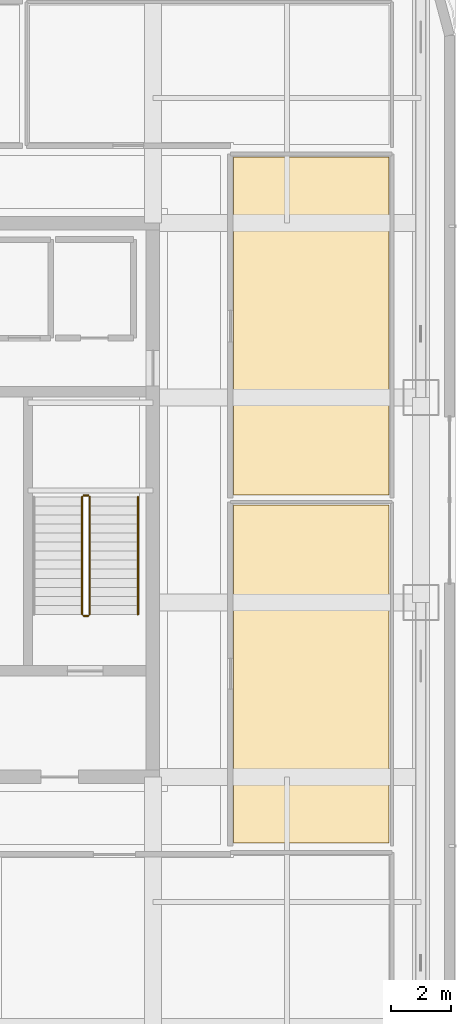
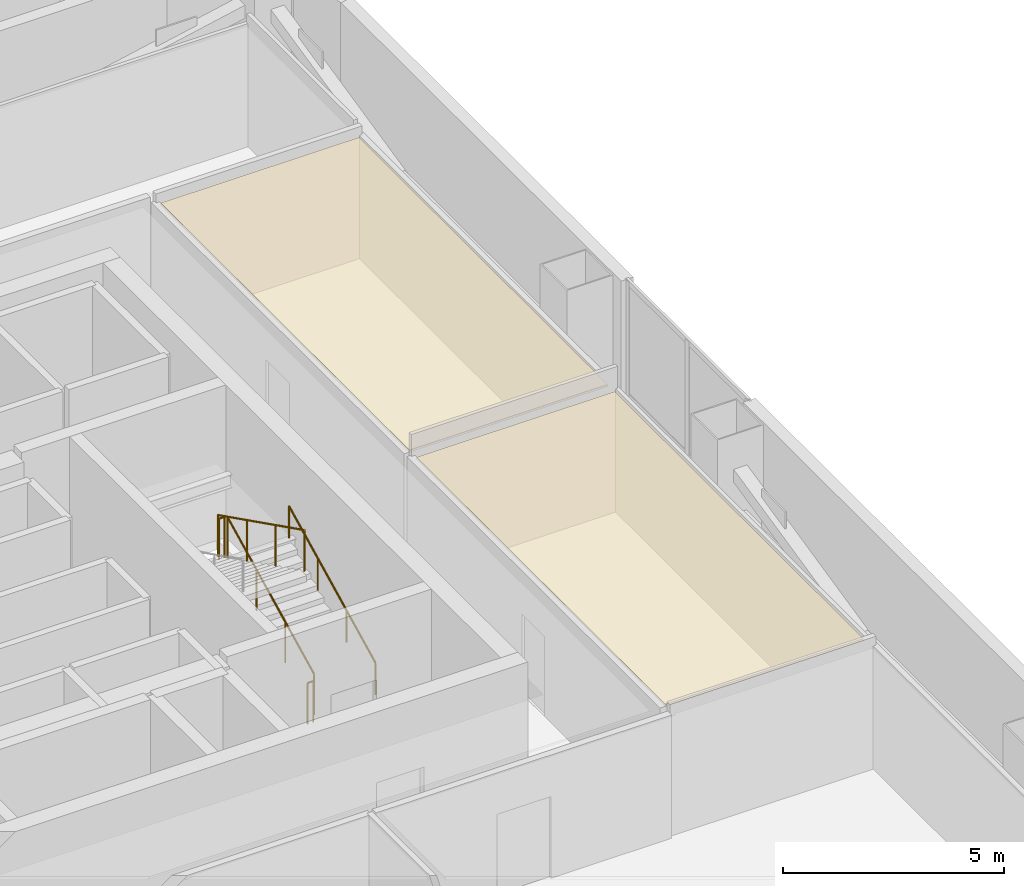
# One storey, part 25 of 28: 5 railings, 2 coverings.
"""IFC4 building model written with IfcOpenShell, lengths in metres."""

from ifc_helpers import new_model, si_unit, direction, frame, origin, origin_2d, place, context, subcontext, project, spatial, polyline, circle, outline, extrude, material, layer, layer_set, type_object, element, save


model = new_model("IFC4")

# Units and contexts
model_context = context("Model", 3, precision=1e-05, world=origin(), true_north=direction((0.0, 1.0)))
body_context = subcontext(model_context, "Body", "Model", "MODEL_VIEW")
ifc_project = project(units=[si_unit("LENGTHUNIT", "METRE"), si_unit("AREAUNIT", "SQUARE_METRE"), si_unit("VOLUMEUNIT", "CUBIC_METRE"), si_unit("PLANEANGLEUNIT", "RADIAN"), si_unit("MASSUNIT", "GRAM", prefix="KILO")], contexts=[model_context])

# Site, building, storey
site_placement = place(None, origin())
site = spatial("IfcSite", under=ifc_project, at=site_placement, CompositionType="ELEMENT")
building_placement = place(site_placement, origin())
building = spatial("IfcBuilding", under=site, at=building_placement, Name="Punatoya Terracotta Tower", CompositionType="ELEMENT")
storey_placement = place(building_placement, frame((0.0, 0.0, 317.39990234375)))
storey = spatial("IfcBuildingStorey", under=building, at=storey_placement, Name="L75", CompositionType="ELEMENT", Elevation=317.39990234375)

# Coverings
ifc_material_1 = material(Name="Acoustic Mineral Fibre Ceiling")
ifc_layer = layer(ifc_material_1, 0.06005859375)
ifc_layer_set = layer_set([ifc_layer], Name="Acoustic Mineral Fibre Ceiling")
covering_type = type_object("IfcCoveringType", Name="COV-CEIL-60", PredefinedType="CEILING", material=ifc_layer_set)
covering_1_placement = place(storey_placement, frame((0.0, 0.0, 3.31005859375)))
element("IfcCovering", 1, at=covering_1_placement, inside=storey, type_object=covering_type, Name="L75 Press Briefing Room Acoustic Ceiling", PredefinedType="CEILING", context=body_context, shape_type="SweptSolid", body=[
    extrude(outline(polyline([(12.8701171875, -0.159912109375), (12.8701171875, -11.389892578125), (18.0400390625, -11.389892578125), (18.0400390625, -0.159912109375), (12.8701171875, -0.159912109375)])), origin(), (0.0, 0.0, 1.0), 0.06005859375),
])
covering_2_placement = place(storey_placement, frame((0.0, 0.0, 3.31005859375)))
element("IfcCovering", 2, at=covering_2_placement, inside=storey, type_object=covering_type, Name="L75 Acoustic Wellness Room Acoustic Ceiling", PredefinedType="CEILING", context=body_context, shape_type="SweptSolid", body=[
    extrude(outline(polyline([(12.8701171875, 11.389892578125), (12.8701171875, 0.159912109375), (18.0400390625, 0.159912109375), (18.0400390625, 11.389892578125), (12.8701171875, 11.389892578125)])), origin(), (0.0, 0.0, 1.0), 0.06005859375),
])

# Railings
ifc_material_2 = material(Name="Steel S355", Category="steel")
railing_type_1 = type_object("IfcRailingType", Name="RLG-GRD-1150", PredefinedType="GUARDRAIL", material=ifc_material_2)
railing_1_placement = place(storey_placement, frame((8.10009765625, -3.800048828125, 0.150146484375)))
element("IfcRailing", 3, at=railing_1_placement, inside=storey, type_object=railing_type_1, Name="L75 ST-2 stair guard 1", PredefinedType="GUARDRAIL", context=body_context, shape_type="SweptSolid", body=[
    extrude(circle(Radius=0.02392578125, at=origin_2d()), frame((0.0, 0.0, 1.1259765625), z_axis=(0.0, 0.894438388696, 0.447191199406), x_axis=(-1.0, 0.0, 0.0)), (0.0, 0.0, 1.0), 4.3603515625),
    extrude(circle(Radius=0.02099609375, at=origin_2d()), origin(), (0.0, 0.0, 1.0), 1.101806640625),
    extrude(circle(Radius=0.02099609375, at=origin_2d()), frame((0.0, 1.300048828125, 0.64990234375)), (0.0, 0.0, 1.0), 1.101806640625),
    extrude(circle(Radius=0.02099609375, at=origin_2d()), frame((0.0, 2.60009765625, 1.300048828125)), (0.0, 0.0, 1.0), 1.101806640625),
    extrude(circle(Radius=0.02099609375, at=origin_2d()), frame((0.0, 3.900146484375, 1.949951171875)), (0.0, 0.0, 1.0), 1.101806640625),
])
railing_2_placement = place(storey_placement, frame((8.050048828125, 0.14990234375, 2.10009765625)))
element("IfcRailing", 4, at=railing_2_placement, inside=storey, type_object=railing_type_1, Name="L75 ST-2 stair guard 2", PredefinedType="GUARDRAIL", context=body_context, shape_type="SweptSolid", body=[
    extrude(circle(Radius=0.02392578125, at=origin_2d()), frame((0.0, 0.0, 1.1259765625), z_axis=(-1.0, 0.0, 0.0), x_axis=(0.0, -1.0, 0.0)), (0.0, 0.0, 1.0), 0.150146484375),
    extrude(circle(Radius=0.02099609375, at=origin_2d()), origin(), (0.0, 0.0, 1.0), 1.101806640625),
    extrude(circle(Radius=0.02099609375, at=origin_2d()), frame((-0.150146484375, 0.0, 0.0)), (0.0, 0.0, 1.0), 1.101806640625),
])
railing_3_placement = place(storey_placement, frame((7.85009765625, 0.10009765625, 2.25)))
element("IfcRailing", 5, at=railing_3_placement, inside=storey, type_object=railing_type_1, Name="L75 ST-2 stair guard 3", PredefinedType="GUARDRAIL", context=body_context, shape_type="SweptSolid", body=[
    extrude(circle(Radius=0.02392578125, at=origin_2d()), frame((0.0, 0.0, 1.1259765625), z_axis=(0.0, -0.894415993023, 0.447235990752), x_axis=(1.0, 0.0, 0.0)), (0.0, 0.0, 1.0), 4.360595703125),
    extrude(circle(Radius=0.02099609375, at=origin_2d()), origin(), (0.0, 0.0, 1.0), 1.101806640625),
    extrude(circle(Radius=0.02099609375, at=origin_2d()), frame((0.0, -1.300048828125, 0.650146484375)), (0.0, 0.0, 1.0), 1.101806640625),
    extrude(circle(Radius=0.02099609375, at=origin_2d()), frame((0.0, -2.60009765625, 1.300048828125)), (0.0, 0.0, 1.0), 1.101806640625),
    extrude(circle(Radius=0.02099609375, at=origin_2d()), frame((0.0, -3.900146484375, 1.9501953125)), (0.0, 0.0, 1.0), 1.101806640625),
])
railing_4_placement = place(storey_placement, frame((8.050048828125, -3.85009765625, 0.0)))
element("IfcRailing", 6, at=railing_4_placement, inside=storey, type_object=railing_type_1, Name="L75 ST-2 stair guard 4", PredefinedType="GUARDRAIL", context=body_context, shape_type="SweptSolid", body=[
    extrude(circle(Radius=0.02392578125, at=origin_2d()), frame((0.0, 0.0, 1.1259765625), z_axis=(-1.0, 0.0, 0.0), x_axis=(0.0, -1.0, 0.0)), (0.0, 0.0, 1.0), 0.150146484375),
    extrude(circle(Radius=0.02099609375, at=origin_2d()), origin(), (0.0, 0.0, 1.0), 1.101806640625),
    extrude(circle(Radius=0.02099609375, at=origin_2d()), frame((-0.150146484375, 0.0, 0.0)), (0.0, 0.0, 1.0), 1.101806640625),
])
railing_type_2 = type_object("IfcRailingType", Name="RLG-HND-900", PredefinedType="HANDRAIL", material=ifc_material_2)
railing_5_placement = place(storey_placement, frame((9.699951171875, -3.800048828125, 0.150146484375)))
element("IfcRailing", 7, at=railing_5_placement, inside=storey, type_object=railing_type_2, Name="L75 ST-2 stair handrail 1", PredefinedType="HANDRAIL", context=body_context, shape_type="SweptSolid", body=[
    extrude(circle(Radius=0.02392578125, at=origin_2d()), frame((0.0, 0.0, 0.8759765625), z_axis=(0.0, 0.894438388696, 0.447191199406), x_axis=(-1.0, 0.0, 0.0)), (0.0, 0.0, 1.0), 4.3603515625),
    extrude(circle(Radius=0.02099609375, at=origin_2d()), origin(), (0.0, 0.0, 1.0), 0.851806640625),
    extrude(circle(Radius=0.02099609375, at=origin_2d()), frame((0.0, 1.300048828125, 0.64990234375)), (0.0, 0.0, 1.0), 0.851806640625),
    extrude(circle(Radius=0.02099609375, at=origin_2d()), frame((0.0, 2.60009765625, 1.300048828125)), (0.0, 0.0, 1.0), 0.851806640625),
    extrude(circle(Radius=0.02099609375, at=origin_2d()), frame((0.0, 3.900146484375, 1.949951171875)), (0.0, 0.0, 1.0), 0.851806640625),
])

save(model, "model.ifc")
